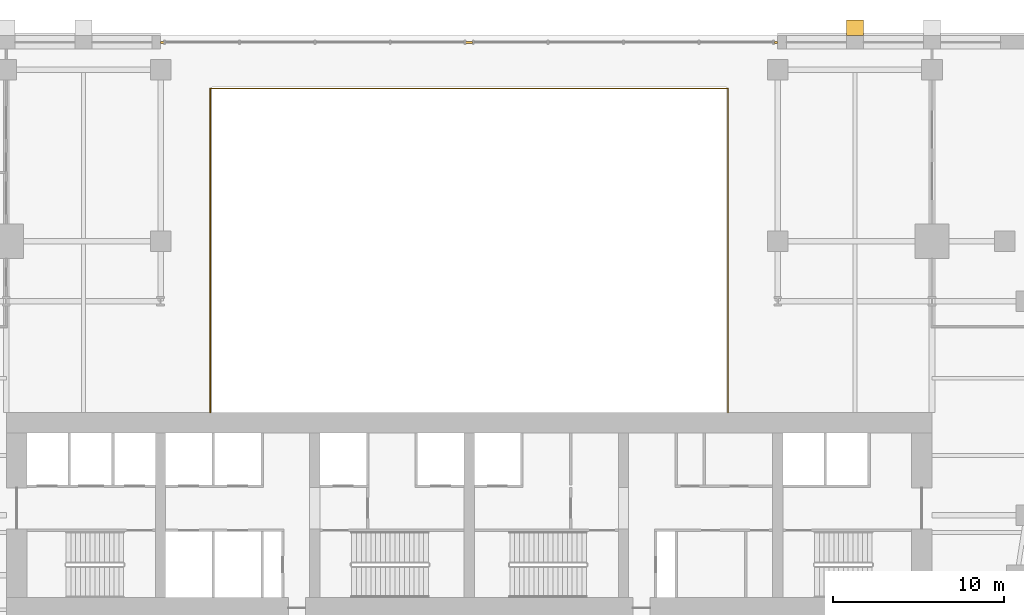
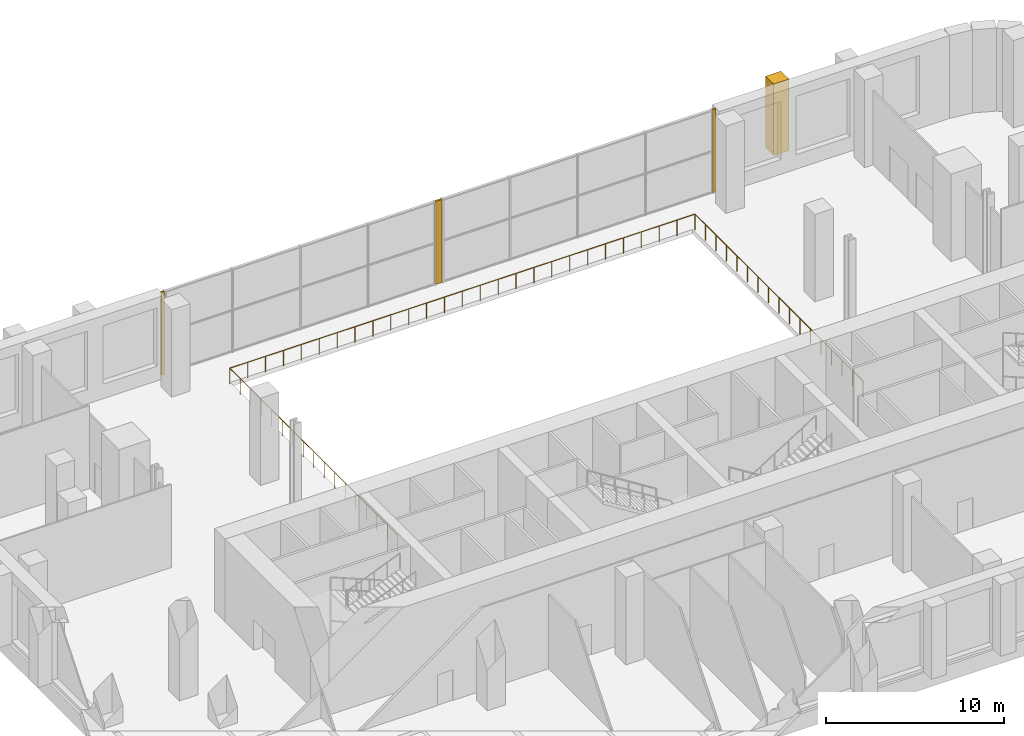
# One storey, part 12 of 13: 4 coverings, 1 railing.
"""IFC4 building model written with IfcOpenShell, lengths in metres."""

from ifc_helpers import new_model, si_unit, direction, frame, origin, origin_2d, place, context, subcontext, project, spatial, polyline, rectangle, circle, outline, extrude, material, layer, layer_set, type_object, element, save


model = new_model("IFC4")

# Units and contexts
model_context = context("Model", 3, precision=1e-05, world=origin(), true_north=direction((0.0, 1.0)))
body_context = subcontext(model_context, "Body", "Model", "MODEL_VIEW")
ifc_project = project(units=[si_unit("LENGTHUNIT", "METRE"), si_unit("AREAUNIT", "SQUARE_METRE"), si_unit("VOLUMEUNIT", "CUBIC_METRE"), si_unit("PLANEANGLEUNIT", "RADIAN"), si_unit("MASSUNIT", "GRAM", prefix="KILO")], contexts=[model_context])

# Site, building, storey
site_placement = place(None, origin())
site = spatial("IfcSite", under=ifc_project, at=site_placement, CompositionType="ELEMENT")
building_placement = place(site_placement, origin())
building = spatial("IfcBuilding", under=site, at=building_placement, Name="Zellij Exchange Tower", CompositionType="ELEMENT")
storey_placement = place(building_placement, frame((0.0, 0.0, 15.0)))
storey = spatial("IfcBuildingStorey", under=building, at=storey_placement, Name="L02", CompositionType="ELEMENT", Elevation=15.0)

# Coverings
ifc_material_1 = material(Name="Limestone cladding", Category="masonry")
ifc_layer = layer(ifc_material_1, 0.1201171875)
ifc_layer_set = layer_set([ifc_layer], Name="Limestone cladding")
covering_type_1 = type_object("IfcCoveringType", Name="ENV-CV18 Glazing closer 120", PredefinedType="CLADDING", material=ifc_layer_set)
covering_1_placement = place(storey_placement, frame((0.0, 19.60009765625, 0.0), z_axis=(0.0, 0.0, 1.0), x_axis=(-1.0, 0.0, 0.0)))
element("IfcCovering", 1, at=covering_1_placement, inside=storey, type_object=covering_type_1, Name="Glazing closer", PredefinedType="CLADDING", context=body_context, shape_type="SweptSolid", body=[
    extrude(rectangle(XDim=0.39990234375, YDim=0.1201171875, at=origin_2d()), origin(), (0.0, 0.0, 1.0), 5.699951171875),
])
for number, where, z_axis, x_axis, name in (
    (2, (-17.89990234375, 19.60009765625, 0.0), (0.0, 0.0, 1.0), (-1.0, 0.0, 0.0), "Glazing closer"),
    (3, (17.89990234375, 19.60009765625, 0.0), (0.0, 0.0, 1.0), (1.0, 0.0, 0.0), "Glazing closer"),
):
    element("IfcCovering", number, at=place(storey_placement, frame(where, z_axis=z_axis, x_axis=x_axis)), inside=storey, type_object=covering_type_1, Name=name, PredefinedType="CLADDING", context=body_context, shape_type="SweptSolid", body=[
        extrude(rectangle(XDim=0.199951171875, YDim=0.1201171875, at=origin_2d()), origin(), (0.0, 0.0, 1.0), 5.699951171875),
    ])
covering_type_2 = type_object("IfcCoveringType", Name="ENV-CV2 Stone pier 1000x900", PredefinedType="CLADDING", material=ifc_material_1)
covering_2_placement = place(storey_placement, frame((0.0, 0.0, 0.800048828125)))
element("IfcCovering", 4, at=covering_2_placement, inside=storey, type_object=covering_type_2, Name="Stone pier", PredefinedType="CLADDING", context=body_context, shape_type="SweptSolid", body=[
    extrude(outline(polyline([(23.0, 20.0), (22.0, 20.0), (22.0, 20.89990234375), (23.0, 20.89990234375), (23.0, 20.0)])), origin(), (0.0, 0.0, 1.0), 4.89990234375),
])

# Railing
ifc_material_2 = material(Name="Steel and glass guard", Category="steel")
railing_type = type_object("IfcRailingType", Name="FIT-GUARD-1100", PredefinedType="GUARDRAIL", material=ifc_material_2)
railing_placement = place(storey_placement, frame((-15.10009765625, -2.0, 0.0)))
element("IfcRailing", 5, at=railing_placement, inside=storey, type_object=railing_type, Name="Hall concourse guard 001", PredefinedType="GUARDRAIL", context=body_context, shape_type="SweptSolid", body=[
    extrude(circle(Radius=0.02490234375, at=origin_2d()), frame((0.0, 0.0, 1.0751953125), z_axis=(0.0, 1.0, 0.0), x_axis=(-1.0, 0.0, 0.0)), (0.0, 0.0, 1.0), 18.89990234375),
    extrude(circle(Radius=0.02490234375, at=origin_2d()), frame((0.0, 18.89990234375, 1.0751953125), z_axis=(1.0, 0.0, 0.0), x_axis=(0.0, 1.0, 0.0)), (0.0, 0.0, 1.0), 30.2001953125),
    extrude(circle(Radius=0.02490234375, at=origin_2d()), frame((30.2001953125, 18.89990234375, 1.0751953125), z_axis=(0.0, -1.0, 0.0), x_axis=(1.0, 0.0, 0.0)), (0.0, 0.0, 1.0), 18.89990234375),
    extrude(circle(Radius=0.02001953125, at=origin_2d()), origin(), (0.0, 0.0, 1.0), 1.050048828125),
    extrude(circle(Radius=0.02001953125, at=origin_2d()), frame((0.0, 1.18115234375, 0.0)), (0.0, 0.0, 1.0), 1.050048828125),
    extrude(circle(Radius=0.02001953125, at=origin_2d()), frame((0.0, 2.362548828125, 0.0)), (0.0, 0.0, 1.0), 1.050048828125),
    extrude(circle(Radius=0.02001953125, at=origin_2d()), frame((0.0, 3.543701171875, 0.0)), (0.0, 0.0, 1.0), 1.050048828125),
    extrude(circle(Radius=0.02001953125, at=origin_2d()), frame((0.0, 4.72509765625, 0.0)), (0.0, 0.0, 1.0), 1.050048828125),
    extrude(circle(Radius=0.02001953125, at=origin_2d()), frame((0.0, 5.90625, 0.0)), (0.0, 0.0, 1.0), 1.050048828125),
    extrude(circle(Radius=0.02001953125, at=origin_2d()), frame((0.0, 7.08740234375, 0.0)), (0.0, 0.0, 1.0), 1.050048828125),
    extrude(circle(Radius=0.02001953125, at=origin_2d()), frame((0.0, 8.268798828125, 0.0)), (0.0, 0.0, 1.0), 1.050048828125),
    extrude(circle(Radius=0.02001953125, at=origin_2d()), frame((0.0, 9.449951171875, 0.0)), (0.0, 0.0, 1.0), 1.050048828125),
    extrude(circle(Radius=0.02001953125, at=origin_2d()), frame((0.0, 10.631103515625, 0.0)), (0.0, 0.0, 1.0), 1.050048828125),
    extrude(circle(Radius=0.02001953125, at=origin_2d()), frame((0.0, 11.8125, 0.0)), (0.0, 0.0, 1.0), 1.050048828125),
    extrude(circle(Radius=0.02001953125, at=origin_2d()), frame((0.0, 12.99365234375, 0.0)), (0.0, 0.0, 1.0), 1.050048828125),
    extrude(circle(Radius=0.02001953125, at=origin_2d()), frame((0.0, 14.1748046875, 0.0)), (0.0, 0.0, 1.0), 1.050048828125),
    extrude(circle(Radius=0.02001953125, at=origin_2d()), frame((0.0, 15.356201171875, 0.0)), (0.0, 0.0, 1.0), 1.050048828125),
    extrude(circle(Radius=0.02001953125, at=origin_2d()), frame((0.0, 16.537353515625, 0.0)), (0.0, 0.0, 1.0), 1.050048828125),
    extrude(circle(Radius=0.02001953125, at=origin_2d()), frame((0.0, 17.71875, 0.0)), (0.0, 0.0, 1.0), 1.050048828125),
    extrude(circle(Radius=0.02001953125, at=origin_2d()), frame((0.0, 18.89990234375, 0.0)), (0.0, 0.0, 1.0), 1.050048828125),
    extrude(circle(Radius=0.02001953125, at=origin_2d()), frame((1.16162109375, 18.89990234375, 0.0)), (0.0, 0.0, 1.0), 1.050048828125),
    extrude(circle(Radius=0.02001953125, at=origin_2d()), frame((2.322998046875, 18.89990234375, 0.0)), (0.0, 0.0, 1.0), 1.050048828125),
    extrude(circle(Radius=0.02001953125, at=origin_2d()), frame((3.484619140625, 18.89990234375, 0.0)), (0.0, 0.0, 1.0), 1.050048828125),
    extrude(circle(Radius=0.02001953125, at=origin_2d()), frame((4.646240234375, 18.89990234375, 0.0)), (0.0, 0.0, 1.0), 1.050048828125),
    extrude(circle(Radius=0.02001953125, at=origin_2d()), frame((5.8076171875, 18.89990234375, 0.0)), (0.0, 0.0, 1.0), 1.050048828125),
    extrude(circle(Radius=0.02001953125, at=origin_2d()), frame((6.96923828125, 18.89990234375, 0.0)), (0.0, 0.0, 1.0), 1.050048828125),
    extrude(circle(Radius=0.02001953125, at=origin_2d()), frame((8.130859375, 18.89990234375, 0.0)), (0.0, 0.0, 1.0), 1.050048828125),
    extrude(circle(Radius=0.02001953125, at=origin_2d()), frame((9.29248046875, 18.89990234375, 0.0)), (0.0, 0.0, 1.0), 1.050048828125),
    extrude(circle(Radius=0.02001953125, at=origin_2d()), frame((10.453857421875, 18.89990234375, 0.0)), (0.0, 0.0, 1.0), 1.050048828125),
    extrude(circle(Radius=0.02001953125, at=origin_2d()), frame((11.615478515625, 18.89990234375, 0.0)), (0.0, 0.0, 1.0), 1.050048828125),
    extrude(circle(Radius=0.02001953125, at=origin_2d()), frame((12.777099609375, 18.89990234375, 0.0)), (0.0, 0.0, 1.0), 1.050048828125),
    extrude(circle(Radius=0.02001953125, at=origin_2d()), frame((13.9384765625, 18.89990234375, 0.0)), (0.0, 0.0, 1.0), 1.050048828125),
    extrude(circle(Radius=0.02001953125, at=origin_2d()), frame((15.10009765625, 18.89990234375, 0.0)), (0.0, 0.0, 1.0), 1.050048828125),
    extrude(circle(Radius=0.02001953125, at=origin_2d()), frame((16.26171875, 18.89990234375, 0.0)), (0.0, 0.0, 1.0), 1.050048828125),
    extrude(circle(Radius=0.02001953125, at=origin_2d()), frame((17.423095703125, 18.89990234375, 0.0)), (0.0, 0.0, 1.0), 1.050048828125),
    extrude(circle(Radius=0.02001953125, at=origin_2d()), frame((18.584716796875, 18.89990234375, 0.0)), (0.0, 0.0, 1.0), 1.050048828125),
    extrude(circle(Radius=0.02001953125, at=origin_2d()), frame((19.746337890625, 18.89990234375, 0.0)), (0.0, 0.0, 1.0), 1.050048828125),
    extrude(circle(Radius=0.02001953125, at=origin_2d()), frame((20.90771484375, 18.89990234375, 0.0)), (0.0, 0.0, 1.0), 1.050048828125),
    extrude(circle(Radius=0.02001953125, at=origin_2d()), frame((22.0693359375, 18.89990234375, 0.0)), (0.0, 0.0, 1.0), 1.050048828125),
    extrude(circle(Radius=0.02001953125, at=origin_2d()), frame((23.23095703125, 18.89990234375, 0.0)), (0.0, 0.0, 1.0), 1.050048828125),
    extrude(circle(Radius=0.02001953125, at=origin_2d()), frame((24.392578125, 18.89990234375, 0.0)), (0.0, 0.0, 1.0), 1.050048828125),
    extrude(circle(Radius=0.02001953125, at=origin_2d()), frame((25.553955078125, 18.89990234375, 0.0)), (0.0, 0.0, 1.0), 1.050048828125),
    extrude(circle(Radius=0.02001953125, at=origin_2d()), frame((26.715576171875, 18.89990234375, 0.0)), (0.0, 0.0, 1.0), 1.050048828125),
    extrude(circle(Radius=0.02001953125, at=origin_2d()), frame((27.877197265625, 18.89990234375, 0.0)), (0.0, 0.0, 1.0), 1.050048828125),
    extrude(circle(Radius=0.02001953125, at=origin_2d()), frame((29.03857421875, 18.89990234375, 0.0)), (0.0, 0.0, 1.0), 1.050048828125),
    extrude(circle(Radius=0.02001953125, at=origin_2d()), frame((30.2001953125, 18.89990234375, 0.0)), (0.0, 0.0, 1.0), 1.050048828125),
    extrude(circle(Radius=0.02001953125, at=origin_2d()), frame((30.2001953125, 17.71875, 0.0)), (0.0, 0.0, 1.0), 1.050048828125),
    extrude(circle(Radius=0.02001953125, at=origin_2d()), frame((30.2001953125, 16.537353515625, 0.0)), (0.0, 0.0, 1.0), 1.050048828125),
    extrude(circle(Radius=0.02001953125, at=origin_2d()), frame((30.2001953125, 15.356201171875, 0.0)), (0.0, 0.0, 1.0), 1.050048828125),
    extrude(circle(Radius=0.02001953125, at=origin_2d()), frame((30.2001953125, 14.1748046875, 0.0)), (0.0, 0.0, 1.0), 1.050048828125),
    extrude(circle(Radius=0.02001953125, at=origin_2d()), frame((30.2001953125, 12.99365234375, 0.0)), (0.0, 0.0, 1.0), 1.050048828125),
    extrude(circle(Radius=0.02001953125, at=origin_2d()), frame((30.2001953125, 11.8125, 0.0)), (0.0, 0.0, 1.0), 1.050048828125),
    extrude(circle(Radius=0.02001953125, at=origin_2d()), frame((30.2001953125, 10.631103515625, 0.0)), (0.0, 0.0, 1.0), 1.050048828125),
    extrude(circle(Radius=0.02001953125, at=origin_2d()), frame((30.2001953125, 9.449951171875, 0.0)), (0.0, 0.0, 1.0), 1.050048828125),
    extrude(circle(Radius=0.02001953125, at=origin_2d()), frame((30.2001953125, 8.268798828125, 0.0)), (0.0, 0.0, 1.0), 1.050048828125),
    extrude(circle(Radius=0.02001953125, at=origin_2d()), frame((30.2001953125, 7.08740234375, 0.0)), (0.0, 0.0, 1.0), 1.050048828125),
    extrude(circle(Radius=0.02001953125, at=origin_2d()), frame((30.2001953125, 5.90625, 0.0)), (0.0, 0.0, 1.0), 1.050048828125),
    extrude(circle(Radius=0.02001953125, at=origin_2d()), frame((30.2001953125, 4.72509765625, 0.0)), (0.0, 0.0, 1.0), 1.050048828125),
    extrude(circle(Radius=0.02001953125, at=origin_2d()), frame((30.2001953125, 3.543701171875, 0.0)), (0.0, 0.0, 1.0), 1.050048828125),
    extrude(circle(Radius=0.02001953125, at=origin_2d()), frame((30.2001953125, 2.362548828125, 0.0)), (0.0, 0.0, 1.0), 1.050048828125),
    extrude(circle(Radius=0.02001953125, at=origin_2d()), frame((30.2001953125, 1.18115234375, 0.0)), (0.0, 0.0, 1.0), 1.050048828125),
    extrude(circle(Radius=0.02001953125, at=origin_2d()), frame((30.2001953125, 0.0, 0.0)), (0.0, 0.0, 1.0), 1.050048828125),
])

save(model, "model.ifc")
